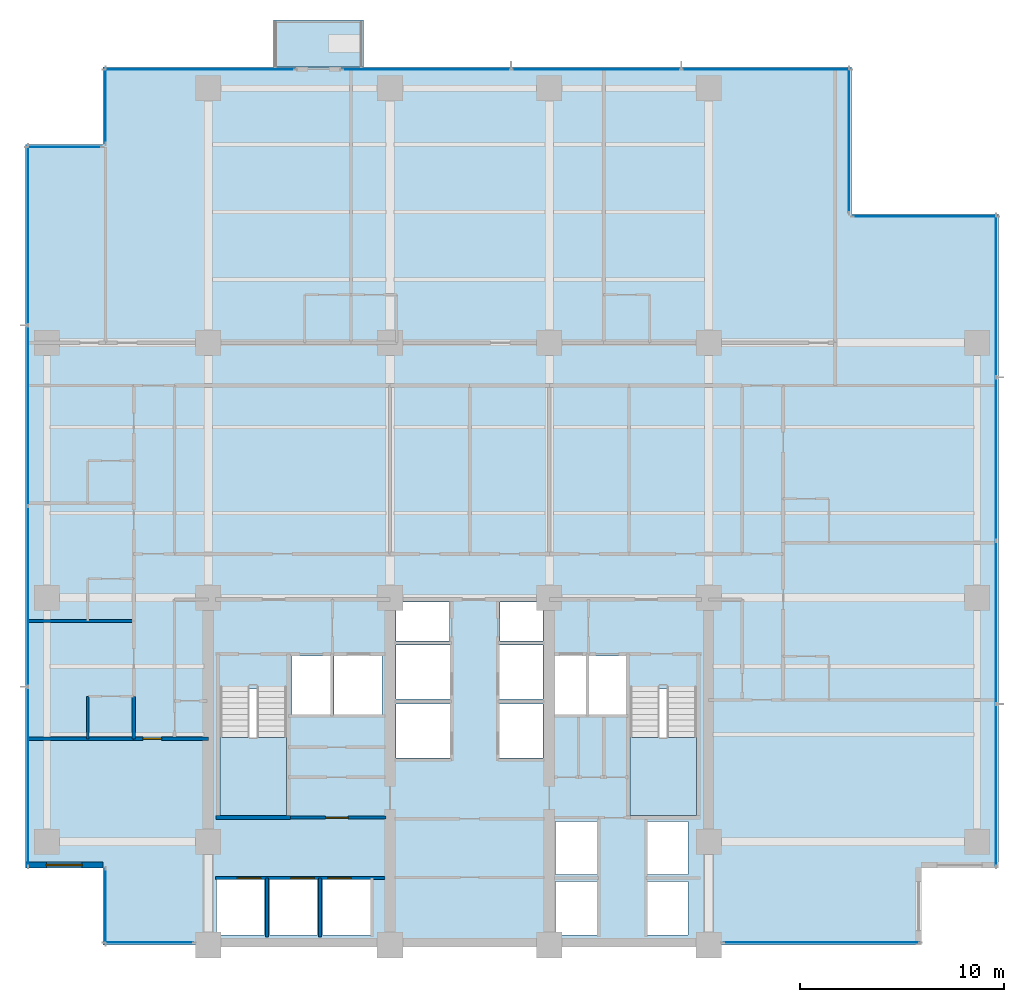
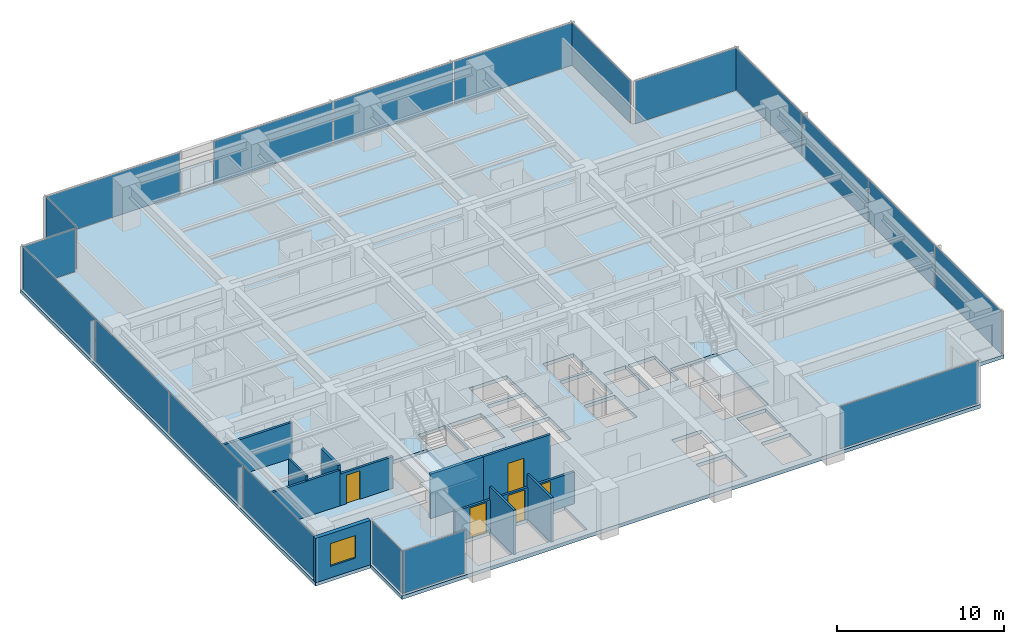
# One storey, part 7 of 17: 19 plates, 11 walls, 5 doors, 4 slabs, 1 window, 6 openings, 13 elements without a shape of their own.
"""IFC4 building model written with IfcOpenShell, lengths in metres."""

from ifc_helpers import new_model, si_unit, direction, frame, frame_2d, origin, origin_2d, place, context, subcontext, project, spatial, polyline, rectangle, outline, extrude, material, layer, layer_set, type_object, element, fill, aggregate, save


model = new_model("IFC4")

# Units and contexts
model_context = context("Model", 3, precision=1e-05, world=origin(), true_north=direction((0.0, 1.0)))
body_context = subcontext(model_context, "Body", "Model", "MODEL_VIEW")
ifc_project = project(units=[si_unit("LENGTHUNIT", "METRE"), si_unit("AREAUNIT", "SQUARE_METRE"), si_unit("VOLUMEUNIT", "CUBIC_METRE"), si_unit("PLANEANGLEUNIT", "RADIAN"), si_unit("MASSUNIT", "GRAM", prefix="KILO")], contexts=[model_context])

# Site, building, storey
site_placement = place(None, origin())
site = spatial("IfcSite", under=ifc_project, at=site_placement, CompositionType="ELEMENT")
building_placement = place(site_placement, origin())
building = spatial("IfcBuilding", under=site, at=building_placement, Name="Qalmaran Belvedere Hotel", CompositionType="ELEMENT")
storey_placement = place(building_placement, frame((0.0, 0.0, 116.199951171875)))
storey = spatial("IfcBuildingStorey", under=building, at=storey_placement, Name="L29", CompositionType="ELEMENT", Elevation=116.199951171875)

# Curtain wall, plate
ifc_material_1 = material(Name="Anodised Bronze Aluminium", Category="aluminium")
ifc_layer_1 = layer(ifc_material_1, 0.199951171875, Name="Anodised Bronze Aluminium")
ifc_layer_set_1 = layer_set([ifc_layer_1], Name="Anodised Bronze Aluminium")
curtain_wall_type = type_object("IfcCurtainWallType", Name="CW3-TOWER-LOWMID", PredefinedType="NOTDEFINED", material=ifc_layer_set_1)
curtain_wall_1_placement = place(storey_placement, origin())
curtain_wall_1 = element("IfcCurtainWall", 1, at=curtain_wall_1_placement, inside=storey, type_object=curtain_wall_type, Name="L29 Curtain Wall CW3", PredefinedType="NOTDEFINED")
ifc_material_2 = material(Name="Solar-Control Double Glazing", Category="glass")
ifc_layer_2 = layer(ifc_material_2, 0.028076171875, Name="Solar-Control Double Glazing")
ifc_layer_set_2 = layer_set([ifc_layer_2], Name="Solar-Control Double Glazing")
plate_type = type_object("IfcPlateType", Name="CWP-VISION-28", PredefinedType="CURTAIN_PANEL", material=ifc_layer_set_2)
plate_1_placement = place(storey_placement, frame((17.392578125, 3.6201171875, 0.06494140625), z_axis=(0.0, 0.0, 1.0), x_axis=(1.0, 0.0, 0.0)))
plate_1 = element("IfcPlate", 2, at=plate_1_placement, type_object=plate_type, Name="CW3 panel 1.1", PredefinedType="CURTAIN_PANEL", context=body_context, shape_type="SweptSolid", body=[
    extrude(rectangle(XDim=4.344970703125, YDim=0.028076171875, at=origin_2d()), origin(), (0.0, 0.0, 1.0), 3.110107421875),
])
aggregate(curtain_wall_1, [plate_1])

curtain_wall_2_placement = place(storey_placement, origin())
curtain_wall_2 = element("IfcCurtainWall", 3, at=curtain_wall_2_placement, inside=storey, type_object=curtain_wall_type, Name="L29 Curtain Wall CW3", PredefinedType="NOTDEFINED")
plate_2_placement = place(storey_placement, frame((50.33251953125, 3.6201171875, 0.06494140625), z_axis=(0.0, 0.0, 1.0), x_axis=(1.0, 0.0, 0.0)))
plate_2 = element("IfcPlate", 4, at=plate_2_placement, type_object=plate_type, Name="CW3 panel 1.1", PredefinedType="CURTAIN_PANEL", context=body_context, shape_type="SweptSolid", body=[
    extrude(rectangle(XDim=9.594970703125, YDim=0.028076171875, at=origin_2d()), origin(), (0.0, 0.0, 1.0), 3.110107421875),
])
aggregate(curtain_wall_2, [plate_2])

# Curtain wall, plates
curtain_wall_3_placement = place(storey_placement, origin())
curtain_wall_3 = element("IfcCurtainWall", 5, at=curtain_wall_3_placement, inside=storey, type_object=curtain_wall_type, Name="L29 Curtain Wall CW3", PredefinedType="NOTDEFINED")
plate_3_placement = place(storey_placement, frame((58.8798828125, 11.3173828125, 0.06494140625), z_axis=(0.0, 0.0, 1.0), x_axis=(0.0, 1.0, 0.0)))
plate_3 = element("IfcPlate", 6, at=plate_3_placement, type_object=plate_type, Name="CW3 panel 1.1", PredefinedType="CURTAIN_PANEL", context=body_context, shape_type="SweptSolid", body=[
    extrude(rectangle(XDim=7.89501953125, YDim=0.028076171875, at=origin_2d()), origin(), (0.0, 0.0, 1.0), 3.110107421875),
])
plate_4_placement = place(storey_placement, frame((58.8798828125, 19.300048828125, 0.06494140625), z_axis=(0.0, 0.0, 1.0), x_axis=(0.0, 1.0, 0.0)))
plate_4 = element("IfcPlate", 7, at=plate_4_placement, type_object=plate_type, Name="CW3 panel 2.1", PredefinedType="CURTAIN_PANEL", context=body_context, shape_type="SweptSolid", body=[
    extrude(rectangle(XDim=7.929931640625, YDim=0.028076171875, at=origin_2d()), origin(), (0.0, 0.0, 1.0), 3.110107421875),
])
plate_5_placement = place(storey_placement, frame((58.8798828125, 27.300048828125, 0.06494140625), z_axis=(0.0, 0.0, 1.0), x_axis=(0.0, 1.0, 0.0)))
plate_5 = element("IfcPlate", 8, at=plate_5_placement, type_object=plate_type, Name="CW3 panel 3.1", PredefinedType="CURTAIN_PANEL", context=body_context, shape_type="SweptSolid", body=[
    extrude(rectangle(XDim=7.929931640625, YDim=0.028076171875, at=origin_2d()), origin(), (0.0, 0.0, 1.0), 3.110107421875),
])
plate_6_placement = place(storey_placement, frame((58.8798828125, 35.282470703125, 0.06494140625), z_axis=(0.0, 0.0, 1.0), x_axis=(0.0, 1.0, 0.0)))
plate_6 = element("IfcPlate", 9, at=plate_6_placement, type_object=plate_type, Name="CW3 panel 4.1", PredefinedType="CURTAIN_PANEL", context=body_context, shape_type="SweptSolid", body=[
    extrude(rectangle(XDim=7.89501953125, YDim=0.028076171875, at=origin_2d()), origin(), (0.0, 0.0, 1.0), 3.110107421875),
])
aggregate(curtain_wall_3, [plate_3, plate_4, plate_5, plate_6])

# Curtain wall, plate
curtain_wall_4_placement = place(storey_placement, origin())
curtain_wall_4 = element("IfcCurtainWall", 10, at=curtain_wall_4_placement, inside=storey, type_object=curtain_wall_type, Name="L29 Curtain Wall CW3", PredefinedType="NOTDEFINED")
plate_7_placement = place(storey_placement, frame((55.39990234375, 39.179931640625, 0.06494140625), z_axis=(0.0, 0.0, 1.0), x_axis=(-1.0, 0.0, 0.0)))
plate_7 = element("IfcPlate", 11, at=plate_7_placement, type_object=plate_type, Name="CW3 panel 1.1", PredefinedType="CURTAIN_PANEL", context=body_context, shape_type="SweptSolid", body=[
    extrude(rectangle(XDim=7.06005859375, YDim=0.028076171875, at=origin_2d()), origin(), (0.0, 0.0, 1.0), 3.110107421875),
])
aggregate(curtain_wall_4, [plate_7])

curtain_wall_5_placement = place(storey_placement, origin())
curtain_wall_5 = element("IfcCurtainWall", 12, at=curtain_wall_5_placement, inside=storey, type_object=curtain_wall_type, Name="L29 Curtain Wall CW3", PredefinedType="NOTDEFINED")
plate_8_placement = place(storey_placement, frame((51.679931640625, 42.89990234375, 0.06494140625), z_axis=(0.0, 0.0, 1.0), x_axis=(0.0, 1.0, 0.0)))
plate_8 = element("IfcPlate", 13, at=plate_8_placement, type_object=plate_type, Name="CW3 panel 1.1", PredefinedType="CURTAIN_PANEL", context=body_context, shape_type="SweptSolid", body=[
    extrude(rectangle(XDim=7.06005859375, YDim=0.028076171875, at=origin_2d()), origin(), (0.0, 0.0, 1.0), 3.110107421875),
])
aggregate(curtain_wall_5, [plate_8])

curtain_wall_6_placement = place(storey_placement, origin())
curtain_wall_6 = element("IfcCurtainWall", 14, at=curtain_wall_6_placement, inside=storey, type_object=curtain_wall_type, Name="L29 Curtain Wall CW3", PredefinedType="NOTDEFINED")
plate_9_placement = place(storey_placement, frame((19.875, 46.3798828125, 0.06494140625), z_axis=(0.0, 0.0, 1.0), x_axis=(-1.0, 0.0, 0.0)))
plate_9 = element("IfcPlate", 15, at=plate_9_placement, type_object=plate_type, Name="CW3 panel 1.1", PredefinedType="CURTAIN_PANEL", context=body_context, shape_type="SweptSolid", body=[
    extrude(rectangle(XDim=9.31005859375, YDim=0.028076171875, at=origin_2d()), origin(), (0.0, 0.0, 1.0), 3.110107421875),
])
aggregate(curtain_wall_6, [plate_9])

# Curtain wall, plates
curtain_wall_7_placement = place(storey_placement, origin())
curtain_wall_7 = element("IfcCurtainWall", 16, at=curtain_wall_7_placement, inside=storey, type_object=curtain_wall_type, Name="L29 Curtain Wall CW3", PredefinedType="NOTDEFINED")
plate_10_placement = place(storey_placement, frame((47.61572265625, 46.3798828125, 0.06494140625), z_axis=(0.0, 0.0, 1.0), x_axis=(-1.0, 0.0, 0.0)))
plate_10 = element("IfcPlate", 17, at=plate_10_placement, type_object=plate_type, Name="CW3 panel 1.1", PredefinedType="CURTAIN_PANEL", context=body_context, shape_type="SweptSolid", body=[
    extrude(rectangle(XDim=8.228271484375, YDim=0.028076171875, at=origin_2d()), origin(), (0.0, 0.0, 1.0), 3.110107421875),
])
plate_11_placement = place(storey_placement, frame((39.300048828125, 46.3798828125, 0.06494140625), z_axis=(0.0, 0.0, 1.0), x_axis=(-1.0, 0.0, 0.0)))
plate_11 = element("IfcPlate", 18, at=plate_11_placement, type_object=plate_type, Name="CW3 panel 2.1", PredefinedType="CURTAIN_PANEL", context=body_context, shape_type="SweptSolid", body=[
    extrude(rectangle(XDim=8.263427734375, YDim=0.028076171875, at=origin_2d()), origin(), (0.0, 0.0, 1.0), 3.110107421875),
])
plate_12_placement = place(storey_placement, frame((30.984130859375, 46.3798828125, 0.06494140625), z_axis=(0.0, 0.0, 1.0), x_axis=(-1.0, 0.0, 0.0)))
plate_12 = element("IfcPlate", 19, at=plate_12_placement, type_object=plate_type, Name="CW3 panel 3.1", PredefinedType="CURTAIN_PANEL", context=body_context, shape_type="SweptSolid", body=[
    extrude(rectangle(XDim=8.228271484375, YDim=0.028076171875, at=origin_2d()), origin(), (0.0, 0.0, 1.0), 3.110107421875),
])
aggregate(curtain_wall_7, [plate_10, plate_11, plate_12])

# Curtain wall, plate
curtain_wall_8_placement = place(storey_placement, origin())
curtain_wall_8 = element("IfcCurtainWall", 20, at=curtain_wall_8_placement, inside=storey, type_object=curtain_wall_type, Name="L29 Curtain Wall CW3", PredefinedType="NOTDEFINED")
plate_13_placement = place(storey_placement, frame((15.27001953125, 44.60009765625, 0.06494140625), z_axis=(0.0, 0.0, 1.0), x_axis=(0.0, -1.0, 0.0)))
plate_13 = element("IfcPlate", 21, at=plate_13_placement, type_object=plate_type, Name="CW3 panel 1.1", PredefinedType="CURTAIN_PANEL", context=body_context, shape_type="SweptSolid", body=[
    extrude(rectangle(XDim=3.659912109375, YDim=0.028076171875, at=origin_2d()), origin(), (0.0, 0.0, 1.0), 3.110107421875),
])
aggregate(curtain_wall_8, [plate_13])

curtain_wall_9_placement = place(storey_placement, origin())
curtain_wall_9 = element("IfcCurtainWall", 22, at=curtain_wall_9_placement, inside=storey, type_object=curtain_wall_type, Name="L29 Curtain Wall CW3", PredefinedType="NOTDEFINED")
plate_14_placement = place(storey_placement, frame((13.25, 42.580078125, 0.06494140625), z_axis=(0.0, 0.0, 1.0), x_axis=(-1.0, 0.0, 0.0)))
plate_14 = element("IfcPlate", 23, at=plate_14_placement, type_object=plate_type, Name="CW3 panel 1.1", PredefinedType="CURTAIN_PANEL", context=body_context, shape_type="SweptSolid", body=[
    extrude(rectangle(XDim=3.659912109375, YDim=0.028076171875, at=origin_2d()), origin(), (0.0, 0.0, 1.0), 3.110107421875),
])
aggregate(curtain_wall_9, [plate_14])

# Curtain wall, plates
curtain_wall_10_placement = place(storey_placement, origin())
curtain_wall_10 = element("IfcCurtainWall", 24, at=curtain_wall_10_placement, inside=storey, type_object=curtain_wall_type, Name="L29 Curtain Wall CW3", PredefinedType="NOTDEFINED")
plate_15_placement = place(storey_placement, frame((11.469970703125, 38.257568359375, 0.06494140625), z_axis=(0.0, 0.0, 1.0), x_axis=(0.0, -1.0, 0.0)))
plate_15 = element("IfcPlate", 25, at=plate_15_placement, type_object=plate_type, Name="CW3 panel 1.1", PredefinedType="CURTAIN_PANEL", context=body_context, shape_type="SweptSolid", body=[
    extrude(rectangle(XDim=8.7451171875, YDim=0.028076171875, at=origin_2d()), origin(), (0.0, 0.0, 1.0), 3.110107421875),
])
plate_16_placement = place(storey_placement, frame((11.469970703125, 29.425048828125, 0.06494140625), z_axis=(0.0, 0.0, 1.0), x_axis=(0.0, -1.0, 0.0)))
plate_16 = element("IfcPlate", 26, at=plate_16_placement, type_object=plate_type, Name="CW3 panel 2.1", PredefinedType="CURTAIN_PANEL", context=body_context, shape_type="SweptSolid", body=[
    extrude(rectangle(XDim=8.780029296875, YDim=0.028076171875, at=origin_2d()), origin(), (0.0, 0.0, 1.0), 3.110107421875),
])
plate_17_placement = place(storey_placement, frame((11.469970703125, 20.574951171875, 0.06494140625), z_axis=(0.0, 0.0, 1.0), x_axis=(0.0, -1.0, 0.0)))
plate_17 = element("IfcPlate", 27, at=plate_17_placement, type_object=plate_type, Name="CW3 panel 3.1", PredefinedType="CURTAIN_PANEL", context=body_context, shape_type="SweptSolid", body=[
    extrude(rectangle(XDim=8.780029296875, YDim=0.028076171875, at=origin_2d()), origin(), (0.0, 0.0, 1.0), 3.110107421875),
])
plate_18_placement = place(storey_placement, frame((11.469970703125, 11.742431640625, 0.06494140625), z_axis=(0.0, 0.0, 1.0), x_axis=(0.0, -1.0, 0.0)))
plate_18 = element("IfcPlate", 28, at=plate_18_placement, type_object=plate_type, Name="CW3 panel 4.1", PredefinedType="CURTAIN_PANEL", context=body_context, shape_type="SweptSolid", body=[
    extrude(rectangle(XDim=8.7451171875, YDim=0.028076171875, at=origin_2d()), origin(), (0.0, 0.0, 1.0), 3.110107421875),
])
aggregate(curtain_wall_10, [plate_15, plate_16, plate_17, plate_18])

# Curtain wall, plate
curtain_wall_11_placement = place(storey_placement, origin())
curtain_wall_11 = element("IfcCurtainWall", 29, at=curtain_wall_11_placement, inside=storey, type_object=curtain_wall_type, Name="L29 Curtain Wall CW3", PredefinedType="NOTDEFINED")
plate_19_placement = place(storey_placement, frame((15.27001953125, 5.39990234375, 0.06494140625), z_axis=(0.0, 0.0, 1.0), x_axis=(0.0, -1.0, 0.0)))
plate_19 = element("IfcPlate", 30, at=plate_19_placement, type_object=plate_type, Name="CW3 panel 1.1", PredefinedType="CURTAIN_PANEL", context=body_context, shape_type="SweptSolid", body=[
    extrude(rectangle(XDim=3.659912109375, YDim=0.028076171875, at=origin_2d()), origin(), (0.0, 0.0, 1.0), 3.110107421875),
])
aggregate(curtain_wall_11, [plate_19])

# Slab
ifc_material_3 = material(Name="Concrete C40/50", Category="concrete")
ifc_layer_3 = layer(ifc_material_3, 0.219970703125, Name="Concrete C40/50")
ifc_layer_set_3 = layer_set([ifc_layer_3], Name="Concrete C40/50")
slab_type_1 = type_object("IfcSlabType", Name="SLB-BAL-220", PredefinedType="USERDEFINED", material=ifc_layer_set_3)
slab_1_placement = place(storey_placement, frame((0.0, 0.0, -0.219970703125)))
element("IfcSlab", 31, at=slab_1_placement, inside=storey, type_object=slab_type_1, Name="L29 Planted Tree Balcony Slab 1", ObjectType="BALCONY", PredefinedType="USERDEFINED", context=body_context, shape_type="SweptSolid", body=[
    extrude(outline(polyline([(23.5, 46.5), (27.89990234375, 46.5), (27.89990234375, 48.800048828125), (23.5, 48.800048828125), (23.5, 46.5)])), origin(), (0.0, 0.0, 1.0), 0.219970703125),
])

# Stair, slab
stair_type_1 = type_object("IfcStairType", Name="STR-ST-1-1450-R1750", PredefinedType="HALF_TURN_STAIR", material=ifc_material_3)
stair_1_placement = place(storey_placement, origin())
stair_1 = element("IfcStair", 32, at=stair_1_placement, inside=storey, type_object=stair_type_1, Name="L29 West Core Exit Stair ST-1", PredefinedType="HALF_TURN_STAIR")
ifc_layer_4 = layer(ifc_material_3, 0.199951171875, Name="Concrete C40/50")
ifc_layer_set_4 = layer_set([ifc_layer_4], Name="Concrete C40/50")
slab_type_2 = type_object("IfcSlabType", Name="SLB-STAIR-LANDING-200", PredefinedType="LANDING", material=ifc_layer_set_4)
slab_2_placement = place(storey_placement, frame((0.0, 0.0, 1.550048828125)))
slab_2 = element("IfcSlab", 33, at=slab_2_placement, type_object=slab_type_2, Name="ST-1 landing 1", PredefinedType="LANDING", context=body_context, shape_type="SweptSolid", body=[
    extrude(outline(polyline([(20.8798828125, 13.669921875), (20.8798828125, 9.85009765625), (24.1201171875, 9.85009765625), (24.1201171875, 13.669921875), (20.8798828125, 13.669921875)])), origin(), (0.0, 0.0, 1.0), 0.199951171875),
])
aggregate(stair_1, [slab_2])

stair_type_2 = type_object("IfcStairType", Name="STR-ST-2-1450-R1750", PredefinedType="HALF_TURN_STAIR", material=ifc_material_3)
stair_2_placement = place(storey_placement, origin())
stair_2 = element("IfcStair", 34, at=stair_2_placement, inside=storey, type_object=stair_type_2, Name="L29 East Core Exit Stair ST-2", PredefinedType="HALF_TURN_STAIR")
slab_3_placement = place(storey_placement, frame((0.0, 0.0, 1.550048828125)))
slab_3 = element("IfcSlab", 35, at=slab_3_placement, type_object=slab_type_2, Name="ST-2 landing 1", PredefinedType="LANDING", context=body_context, shape_type="SweptSolid", body=[
    extrude(outline(polyline([(40.9599609375, 13.669921875), (40.9599609375, 9.85009765625), (44.199951171875, 9.85009765625), (44.199951171875, 13.669921875), (40.9599609375, 13.669921875)])), origin(), (0.0, 0.0, 1.0), 0.199951171875),
])
aggregate(stair_2, [slab_3])

# Slab
ifc_layer_5 = layer(ifc_material_3, 0.260009765625, Name="Concrete C40/50")
ifc_layer_set_5 = layer_set([ifc_layer_5], Name="Concrete C40/50")
slab_type_3 = type_object("IfcSlabType", Name="SLB-Z2-260", PredefinedType="FLOOR", material=ifc_layer_set_5)
slab_4_placement = place(storey_placement, frame((0.0, 0.0, -0.260009765625)))
element("IfcSlab", 36, at=slab_4_placement, inside=storey, type_object=slab_type_3, Name="L29 Structural Floor Slab", PredefinedType="FLOOR", context=body_context, shape_type="SweptSolid", body=[
    extrude(outline(polyline([(15.14990234375, 3.5), (55.199951171875, 3.5), (55.199951171875, 7.300048828125), (59.0, 7.300048828125), (59.0, 39.300048828125), (51.800048828125, 39.300048828125), (51.800048828125, 46.5), (15.14990234375, 46.5), (15.14990234375, 42.699951171875), (11.35009765625, 42.699951171875), (11.35009765625, 7.300048828125), (15.14990234375, 7.300048828125), (15.14990234375, 3.5)]), holes=[polyline([(20.8798828125, 9.85009765625), (24.1201171875, 9.85009765625), (24.1201171875, 16.0400390625), (20.8798828125, 16.0400390625), (20.8798828125, 9.85009765625)]), polyline([(40.9599609375, 9.85009765625), (44.199951171875, 9.85009765625), (44.199951171875, 16.0400390625), (40.9599609375, 16.0400390625), (40.9599609375, 9.85009765625)]), polyline([(29.4951171875, 12.64990234375), (32.14990234375, 12.64990234375), (32.14990234375, 15.300048828125), (29.4951171875, 15.300048828125), (29.4951171875, 12.64990234375)]), polyline([(29.4951171875, 15.550048828125), (32.14990234375, 15.550048828125), (32.14990234375, 18.199951171875), (29.4951171875, 18.199951171875), (29.4951171875, 15.550048828125)]), polyline([(34.550048828125, 12.64990234375), (36.705078125, 12.64990234375), (36.705078125, 15.300048828125), (34.550048828125, 15.300048828125), (34.550048828125, 12.64990234375)]), polyline([(34.550048828125, 15.550048828125), (36.705078125, 15.550048828125), (36.705078125, 18.199951171875), (34.550048828125, 18.199951171875), (34.550048828125, 15.550048828125)]), polyline([(37.300048828125, 4.0), (39.35009765625, 4.0), (39.35009765625, 6.60009765625), (37.300048828125, 6.60009765625), (37.300048828125, 4.0)]), polyline([(37.300048828125, 6.949951171875), (39.35009765625, 6.949951171875), (39.35009765625, 9.550048828125), (37.300048828125, 9.550048828125), (37.300048828125, 6.949951171875)]), polyline([(41.800048828125, 4.0), (43.800048828125, 4.0), (43.800048828125, 6.60009765625), (41.800048828125, 6.60009765625), (41.800048828125, 4.0)]), polyline([(41.800048828125, 6.949951171875), (43.800048828125, 6.949951171875), (43.800048828125, 9.550048828125), (41.800048828125, 9.550048828125), (41.800048828125, 6.949951171875)]), polyline([(20.699951171875, 4.0), (23.050048828125, 4.0), (23.050048828125, 6.699951171875), (20.699951171875, 6.699951171875), (20.699951171875, 4.0)]), polyline([(23.300048828125, 4.0), (25.64990234375, 4.0), (25.64990234375, 6.699951171875), (23.300048828125, 6.699951171875), (23.300048828125, 4.0)]), polyline([(25.89990234375, 4.0), (28.25, 4.0), (28.25, 6.699951171875), (25.89990234375, 6.699951171875), (25.89990234375, 4.0)]), polyline([(24.39990234375, 14.800048828125), (26.300048828125, 14.800048828125), (26.300048828125, 17.64990234375), (24.39990234375, 17.64990234375), (24.39990234375, 14.800048828125)]), polyline([(38.949951171875, 14.800048828125), (40.820068359375, 14.800048828125), (40.820068359375, 17.64990234375), (38.949951171875, 17.64990234375), (38.949951171875, 14.800048828125)]), polyline([(26.449951171875, 14.800048828125), (28.800048828125, 14.800048828125), (28.800048828125, 17.64990234375), (26.449951171875, 17.64990234375), (26.449951171875, 14.800048828125)]), polyline([(37.25, 14.800048828125), (38.800048828125, 14.800048828125), (38.800048828125, 17.64990234375), (37.25, 17.64990234375), (37.25, 14.800048828125)]), polyline([(29.4951171875, 18.3798828125), (32.1201171875, 18.3798828125), (32.1201171875, 20.300048828125), (29.4951171875, 20.300048828125), (29.4951171875, 18.3798828125)]), polyline([(34.580078125, 18.3798828125), (36.705078125, 18.3798828125), (36.705078125, 20.300048828125), (34.580078125, 20.300048828125), (34.580078125, 18.3798828125)])]), origin(), (0.0, 0.0, 1.0), 0.260009765625),
])

# Wall, opening, window
ifc_material_4 = material(Name="Anodised Bronze Cladding")
ifc_layer_6 = layer(ifc_material_4, 0.280029296875, Name="Anodised Bronze Cladding")
ifc_layer_set_6 = layer_set([ifc_layer_6], Name="Anodised Bronze Cladding")
wall_type_1 = type_object("IfcWallType", Name="WL-EXT-BRNZ-280", PredefinedType="SOLIDWALL", material=ifc_layer_set_6)
wall_1_placement = place(storey_placement, frame((11.35009765625, 7.419921875, 0.0), z_axis=(0.0, 0.0, 1.0), x_axis=(1.0, 0.0, 0.0)))
wall_1 = element("IfcWall", 37, at=wall_1_placement, inside=storey, type_object=wall_type_1, Name="L29 Corner Notch Wall 10", PredefinedType="SOLIDWALL", context=body_context, shape_type="SweptSolid", body=[
    extrude(rectangle(XDim=3.7998046875, YDim=0.280029296875, at=frame_2d((1.89990234375, 0.0))), origin(), (0.0, 0.0, 1.0), 3.239990234375),
])
opening_1_placement = place(wall_1_placement, frame((1.02490234375, 0.0, 0.85009765625)))
opening_1 = element("IfcOpeningElement", 38, at=opening_1_placement, cuts=wall_1, Name="Opening W-N17", PredefinedType="OPENING", context=body_context, shape_type="SweptSolid", body=[
    extrude(rectangle(XDim=1.75, YDim=1.64990234375, at=frame_2d((0.875, 0.824951171875))), frame((0.0, 0.14990234375, 0.0), z_axis=(0.0, -1.0, 0.0), x_axis=(1.0, 0.0, 0.0)), (0.0, 0.0, 1.0), 0.300048828125),
])
window_type = type_object("IfcWindowType", Name="WN-NTC-1750X1650", PartitioningType="SINGLE_PANEL", PredefinedType="WINDOW", material=ifc_material_2)
window_placement = place(opening_1_placement, origin())
window = element("IfcWindow", 39, at=window_placement, inside=storey, type_object=window_type, Name="L29 Corner Notch Window 10", OverallHeight=1.64990234375, OverallWidth=1.75, PartitioningType="SINGLE_PANEL", PredefinedType="WINDOW", context=body_context, shape_type="SweptSolid", body=[
    extrude(rectangle(XDim=1.75, YDim=1.64990234375, at=frame_2d((0.875, 0.824951171875))), frame((0.0, 0.030029296875, 0.0), z_axis=(0.0, -1.0, 0.0), x_axis=(1.0, 0.0, 0.0)), (0.0, 0.0, 1.0), 0.06005859375),
])
fill(opening_1, window)

# Walls
ifc_material_5 = material(Name="Moisture-Resistant Gypsum")
ifc_layer_7 = layer(ifc_material_5, 0.1201171875, Name="Moisture-Resistant Gypsum")
ifc_layer_set_7 = layer_set([ifc_layer_7], Name="Moisture-Resistant Gypsum")
wall_type_2 = type_object("IfcWallType", Name="WL-INT-120-BATH", PredefinedType="PARTITIONING", material=ifc_layer_set_7)
wall_2_placement = place(storey_placement, frame((14.39990234375, 13.60009765625, 0.0), z_axis=(0.0, 0.0, 1.0), x_axis=(0.0, 1.0, 0.0)))
element("IfcWall", 40, at=wall_2_placement, inside=storey, type_object=wall_type_2, Name="L29 Partition WL-L29-WBS00", PredefinedType="PARTITIONING", context=body_context, shape_type="SweptSolid", body=[
    extrude(rectangle(XDim=2.079833984375, YDim=0.1201171875, at=frame_2d((1.0400390625, 0.0))), origin(), (0.0, 0.0, 1.0), 2.922119140625),
])
ifc_material_6 = material(Name="Gypsum Stud Partition")
ifc_layer_8 = layer(ifc_material_6, 0.14990234375, Name="Gypsum Stud Partition")
ifc_layer_set_8 = layer_set([ifc_layer_8], Name="Gypsum Stud Partition")
wall_type_3 = type_object("IfcWallType", Name="WL-INT-150-EI120", PredefinedType="PARTITIONING", material=ifc_layer_set_8)
for number, where, z_axis, x_axis, name in (
    (41, (23.179931640625, 3.89990234375, 0.0), (0.0, 0.0, 1.0), (0.0, 1.0, 0.0), "L29 Partition WL-POM1-L29"),
    (42, (25.780029296875, 3.89990234375, 0.0), (0.0, 0.0, 1.0), (0.0, 1.0, 0.0), "L29 Partition WL-POM2-L29"),
):
    element("IfcWall", number, at=place(storey_placement, frame(where, z_axis=z_axis, x_axis=x_axis)), inside=storey, type_object=wall_type_3, Name=name, PredefinedType="PARTITIONING", context=body_context, shape_type="SweptSolid", body=[
        extrude(rectangle(XDim=2.880126953125, YDim=0.14990234375, at=frame_2d((1.43994140625, 0.0))), origin(), (0.0, 0.0, 1.0), 3.239990234375),
    ])

# Wall, openings, doors
ifc_layer_9 = layer(ifc_material_6, 0.159912109375, Name="Gypsum Stud Partition")
ifc_layer_set_9 = layer_set([ifc_layer_9], Name="Gypsum Stud Partition")
wall_type_4 = type_object("IfcWallType", Name="WL-INT-160-EI120", PredefinedType="PARTITIONING", material=ifc_layer_set_9)
wall_3_placement = place(storey_placement, frame((20.64990234375, 6.780029296875, 0.0), z_axis=(0.0, 0.0, 1.0), x_axis=(1.0, 0.0, 0.0)))
wall_3 = element("IfcWall", 43, at=wall_3_placement, inside=storey, type_object=wall_type_4, Name="L29 Partition WL-POS-L29", PredefinedType="PARTITIONING", context=body_context, shape_type="SweptSolid", body=[
    extrude(rectangle(XDim=8.300048828125, YDim=0.159912109375, at=frame_2d((4.14990234375, 0.0))), origin(), (0.0, 0.0, 1.0), 2.31298828125),
])
opening_2_placement = place(wall_3_placement, frame((3.69482421875, 0.0, 0.0)))
opening_2 = element("IfcOpeningElement", 44, at=opening_2_placement, cuts=wall_3, Name="Opening LD-PO", PredefinedType="OPENING", context=body_context, shape_type="SweptSolid", body=[
    extrude(rectangle(XDim=1.14990234375, YDim=2.199951171875, at=frame_2d((0.574951171875, 1.10009765625))), frame((0.0, 0.08984375, 0.0), z_axis=(0.0, -1.0, 0.0), x_axis=(1.0, 0.0, 0.0)), (0.0, 0.0, 1.0), 0.179931640625),
])
opening_3_placement = place(wall_3_placement, frame((5.4921875, 0.0, 0.0)))
opening_3 = element("IfcOpeningElement", 45, at=opening_3_placement, cuts=wall_3, Name="Opening LD-PO", PredefinedType="OPENING", context=body_context, shape_type="SweptSolid", body=[
    extrude(rectangle(XDim=1.14990234375, YDim=2.199951171875, at=frame_2d((0.574951171875, 1.10009765625))), frame((0.0, 0.08984375, 0.0), z_axis=(0.0, -1.0, 0.0), x_axis=(1.0, 0.0, 0.0)), (0.0, 0.0, 1.0), 0.179931640625),
])
opening_4_placement = place(wall_3_placement, frame((1.058837890625, 0.0, 0.0)))
opening_4 = element("IfcOpeningElement", 46, at=opening_4_placement, cuts=wall_3, Name="Opening LD-PO", PredefinedType="OPENING", context=body_context, shape_type="SweptSolid", body=[
    extrude(rectangle(XDim=1.14990234375, YDim=2.199951171875, at=frame_2d((0.574951171875, 1.10009765625))), frame((0.0, 0.08984375, 0.0), z_axis=(0.0, -1.0, 0.0), x_axis=(1.0, 0.0, 0.0)), (0.0, 0.0, 1.0), 0.179931640625),
])
door_type_1 = type_object("IfcDoorType", Name="DR-LIFT-PO-1150X2200", OperationType="DOUBLE_DOOR_SLIDING", PredefinedType="DOOR", material=ifc_material_1)
door_1_placement = place(opening_2_placement, origin())
door_1 = element("IfcDoor", 47, at=door_1_placement, inside=storey, type_object=door_type_1, Name="L29 PO1 Shuttle Landing Door", OperationType="DOUBLE_DOOR_SLIDING", OverallHeight=2.199951171875, OverallWidth=1.14990234375, PredefinedType="DOOR", context=body_context, shape_type="SweptSolid", body=[
    extrude(rectangle(XDim=1.14990234375, YDim=2.199951171875, at=frame_2d((0.574951171875, 1.10009765625))), frame((0.0, 0.02490234375, 0.0), z_axis=(0.0, -1.0, 0.0), x_axis=(1.0, 0.0, 0.0)), (0.0, 0.0, 1.0), 0.050048828125),
])
fill(opening_2, door_1)
door_2_placement = place(opening_3_placement, origin())
door_2 = element("IfcDoor", 48, at=door_2_placement, inside=storey, type_object=door_type_1, Name="L29 PO2 Shuttle Landing Door", OperationType="DOUBLE_DOOR_SLIDING", OverallHeight=2.199951171875, OverallWidth=1.14990234375, PredefinedType="DOOR", context=body_context, shape_type="SweptSolid", body=[
    extrude(rectangle(XDim=1.14990234375, YDim=2.199951171875, at=frame_2d((0.574951171875, 1.10009765625))), frame((0.0, 0.02490234375, 0.0), z_axis=(0.0, -1.0, 0.0), x_axis=(1.0, 0.0, 0.0)), (0.0, 0.0, 1.0), 0.050048828125),
])
fill(opening_3, door_2)
door_3_placement = place(opening_4_placement, origin())
door_3 = element("IfcDoor", 49, at=door_3_placement, inside=storey, type_object=door_type_1, Name="L29 PO3 Shuttle Landing Door", OperationType="DOUBLE_DOOR_SLIDING", OverallHeight=2.199951171875, OverallWidth=1.14990234375, PredefinedType="DOOR", context=body_context, shape_type="SweptSolid", body=[
    extrude(rectangle(XDim=1.14990234375, YDim=2.199951171875, at=frame_2d((0.574951171875, 1.10009765625))), frame((0.0, 0.02490234375, 0.0), z_axis=(0.0, -1.0, 0.0), x_axis=(1.0, 0.0, 0.0)), (0.0, 0.0, 1.0), 0.050048828125),
])
fill(opening_4, door_3)

# Wall, opening, door
wall_4_placement = place(storey_placement, frame((24.199951171875, 9.739990234375, 0.0), z_axis=(0.0, 0.0, 1.0), x_axis=(1.0, 0.0, 0.0)))
wall_4 = element("IfcWall", 50, at=wall_4_placement, inside=storey, type_object=wall_type_4, Name="L29 Partition WL-PON-L29", PredefinedType="PARTITIONING", context=body_context, shape_type="SweptSolid", body=[
    extrude(rectangle(XDim=4.800048828125, YDim=0.159912109375, at=frame_2d((2.39990234375, 0.0))), origin(), (0.0, 0.0, 1.0), 3.239990234375),
])
opening_5_placement = place(wall_4_placement, frame((1.85009765625, 0.0, 0.0)))
opening_5 = element("IfcOpeningElement", 51, at=opening_5_placement, cuts=wall_4, Name="Opening FD90", PredefinedType="OPENING", context=body_context, shape_type="SweptSolid", body=[
    extrude(rectangle(XDim=1.10009765625, YDim=2.14990234375, at=frame_2d((0.550048828125, 1.074951171875))), frame((0.0, 0.08984375, 0.0), z_axis=(0.0, -1.0, 0.0), x_axis=(1.0, 0.0, 0.0)), (0.0, 0.0, 1.0), 0.179931640625),
])
ifc_material_7 = material(Name="Steel S355JR", Category="steel")
door_type_2 = type_object("IfcDoorType", Name="DR-FD90-1100X2150", OperationType="NOTDEFINED", PredefinedType="DOOR", material=ifc_material_7)
door_4_placement = place(opening_5_placement, origin())
door_4 = element("IfcDoor", 52, at=door_4_placement, inside=storey, type_object=door_type_2, Name="L29 Shuttle Lobby Passage Door", OperationType="SINGLE_SWING_LEFT", OverallHeight=2.14990234375, OverallWidth=1.10009765625, PredefinedType="DOOR", context=body_context, shape_type="SweptSolid", body=[
    extrude(rectangle(XDim=1.10009765625, YDim=2.14990234375, at=frame_2d((0.550048828125, 1.074951171875))), frame((0.0, 0.02490234375, 0.0), z_axis=(0.0, -1.0, 0.0), x_axis=(1.0, 0.0, 0.0)), (0.0, 0.0, 1.0), 0.050048828125),
])
fill(opening_5, door_4)

ifc_layer_10 = layer(ifc_material_6, 0.159912109375, Name="Gypsum Stud Partition")
ifc_layer_set_10 = layer_set([ifc_layer_10], Name="Gypsum Stud Partition")
wall_type_5 = type_object("IfcWallType", Name="WL-INT-160-EI60", PredefinedType="PARTITIONING", material=ifc_layer_set_10)
wall_5_placement = place(storey_placement, frame((16.64990234375, 13.60009765625, 0.0), z_axis=(0.0, 0.0, 1.0), x_axis=(1.0, 0.0, 0.0)))
wall_5 = element("IfcWall", 53, at=wall_5_placement, inside=storey, type_object=wall_type_5, Name="L29 Partition WL-L29-SWRL", PredefinedType="PARTITIONING", context=body_context, shape_type="SweptSolid", body=[
    extrude(rectangle(XDim=3.650146484375, YDim=0.159912109375, at=frame_2d((1.8251953125, 0.0))), origin(), (0.0, 0.0, 1.0), 2.31298828125),
])
opening_6_placement = place(wall_5_placement, frame((1.369873046875, 0.0, 0.0), z_axis=(0.0, 0.0, 1.0), x_axis=(-1.0, 0.0, 0.0)))
opening_6 = element("IfcOpeningElement", 54, at=opening_6_placement, cuts=wall_5, Name="Opening FD60S1", PredefinedType="OPENING", context=body_context, shape_type="SweptSolid", body=[
    extrude(rectangle(XDim=0.919921875, YDim=2.080078125, at=frame_2d((0.4599609375, 1.0400390625))), frame((0.0, 0.08984375, 0.0), z_axis=(0.0, -1.0, 0.0), x_axis=(1.0, 0.0, 0.0)), (0.0, 0.0, 1.0), 0.179931640625),
])
ifc_material_8 = material(Name="Engineered Oak Veneer")
door_type_3 = type_object("IfcDoorType", Name="DR-FD60S-920X2080", OperationType="NOTDEFINED", PredefinedType="DOOR", material=ifc_material_8)
door_5_placement = place(opening_6_placement, origin())
door_5 = element("IfcDoor", 55, at=door_5_placement, inside=storey, type_object=door_type_3, Name="L29 SW Lounge Door", OperationType="SINGLE_SWING_LEFT", OverallHeight=2.080078125, OverallWidth=0.919921875, PredefinedType="DOOR", context=body_context, shape_type="SweptSolid", body=[
    extrude(rectangle(XDim=0.919921875, YDim=2.080078125, at=frame_2d((0.4599609375, 1.0400390625))), frame((0.0, 0.02490234375, 0.0), z_axis=(0.0, -1.0, 0.0), x_axis=(1.0, 0.0, 0.0)), (0.0, 0.0, 1.0), 0.050048828125),
])
fill(opening_6, door_5)

# Walls
for number, where, z_axis, x_axis, name in (
    (56, (11.469970703125, 13.60009765625, 0.0), (0.0, 0.0, 1.0), (1.0, 0.0, 0.0), "L29 Partition WL-L29-WBOT"),
    (57, (11.469970703125, 19.36669921875, 0.0), (0.0, 0.0, 1.0), (1.0, 0.0, 0.0), "L29 Partition WL-L29-WU00"),
):
    element("IfcWall", number, at=place(storey_placement, frame(where, z_axis=z_axis, x_axis=x_axis)), inside=storey, type_object=wall_type_5, Name=name, PredefinedType="PARTITIONING", context=body_context, shape_type="SweptSolid", body=[
        extrude(rectangle(XDim=5.179931640625, YDim=0.159912109375, at=frame_2d((2.58984375, 0.0))), origin(), (0.0, 0.0, 1.0), 2.60302734375),
    ])
ifc_layer_11 = layer(ifc_material_6, 0.179931640625, Name="Gypsum Stud Partition")
ifc_layer_set_11 = layer_set([ifc_layer_11], Name="Gypsum Stud Partition")
wall_type_6 = type_object("IfcWallType", Name="WL-INT-180-EI60", PredefinedType="PARTITIONING", material=ifc_layer_set_11)
wall_6_placement = place(storey_placement, frame((16.64990234375, 13.60009765625, 0.0), z_axis=(0.0, 0.0, 1.0), x_axis=(0.0, 1.0, 0.0)))
element("IfcWall", 58, at=wall_6_placement, inside=storey, type_object=wall_type_6, Name="L29 Partition WL-L29-WBC00", PredefinedType="PARTITIONING", context=body_context, shape_type="SweptSolid", body=[
    extrude(rectangle(XDim=2.079833984375, YDim=0.179931640625, at=frame_2d((1.0400390625, 0.0))), origin(), (0.0, 0.0, 1.0), 2.922119140625),
])
ifc_material_9 = material(Name="Concrete C50/60", Category="concrete")
ifc_layer_12 = layer(ifc_material_9, 0.2099609375, Name="Concrete C50/60")
ifc_layer_set_12 = layer_set([ifc_layer_12], Name="Concrete C50/60")
wall_type_7 = type_object("IfcWallType", Name="WL-STAIR-210-C50", PredefinedType="SHEAR", material=ifc_layer_set_12)
wall_7_placement = place(storey_placement, frame((20.669921875, 9.7451171875, 0.0), z_axis=(0.0, 0.0, 1.0), x_axis=(1.0, 0.0, 0.0)))
element("IfcWall", 59, at=wall_7_placement, inside=storey, type_object=wall_type_7, Name="L29 Stair ST-1 South Bearing Wall", PredefinedType="SHEAR", context=body_context, shape_type="SweptSolid", body=[
    extrude(rectangle(XDim=3.66015625, YDim=0.2099609375, at=frame_2d((1.830078125, 0.0))), origin(), (0.0, 0.0, 1.0), 3.239990234375),
])

save(model, "model.ifc")
